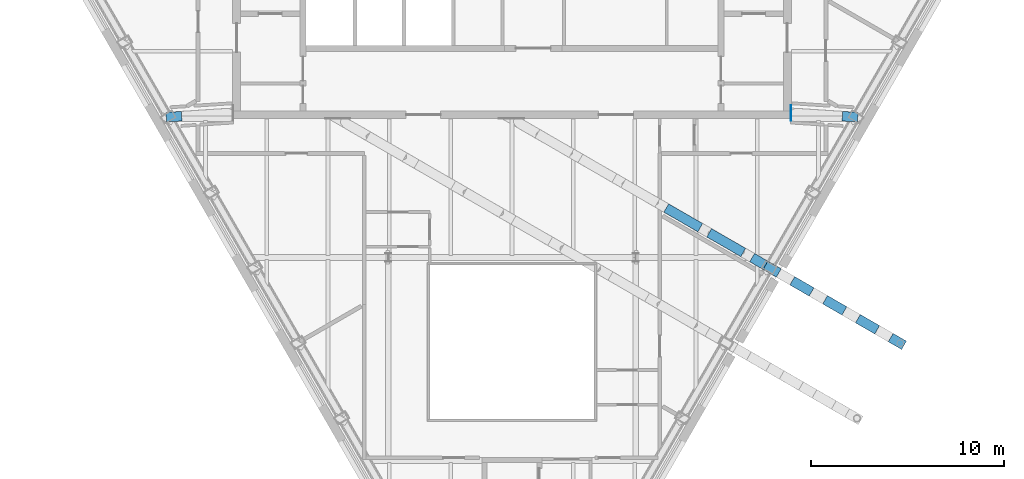
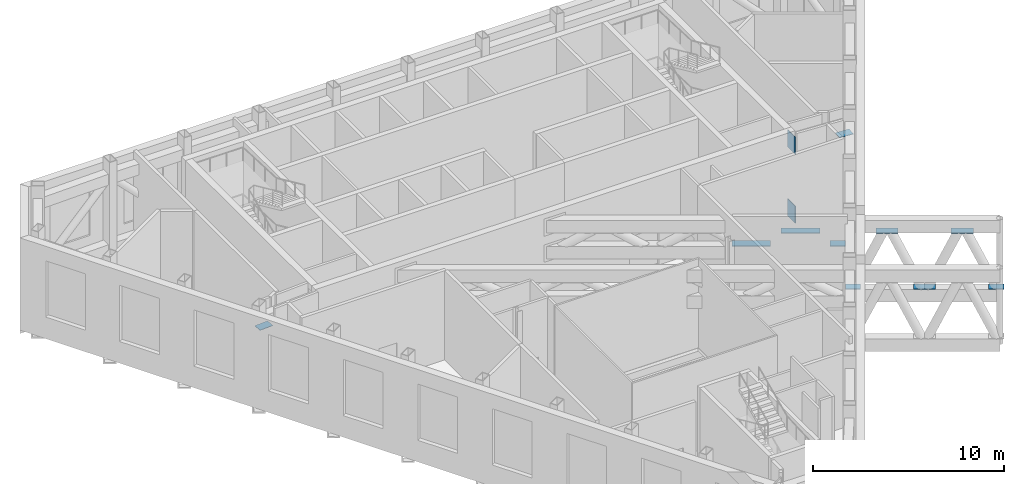
# One storey, part 11 of 14: 12 discrete accessories.
"""IFC4 building model written with IfcOpenShell, lengths in metres."""

from ifc_helpers import new_model, si_unit, direction, frame, origin, place, context, subcontext, project, spatial, polyline, outline, extrude, material, layer, layer_set, type_object, element, save


model = new_model("IFC4")

# Units and contexts
model_context = context("Model", 3, precision=1e-05, world=origin(), true_north=direction((0.0, 1.0)))
body_context = subcontext(model_context, "Body", "Model", "MODEL_VIEW")
ifc_project = project(units=[si_unit("LENGTHUNIT", "METRE"), si_unit("AREAUNIT", "SQUARE_METRE"), si_unit("VOLUMEUNIT", "CUBIC_METRE"), si_unit("PLANEANGLEUNIT", "RADIAN"), si_unit("MASSUNIT", "GRAM", prefix="KILO")], contexts=[model_context])

# Site, building, storey
site_placement = place(None, origin())
site = spatial("IfcSite", under=ifc_project, at=site_placement, CompositionType="ELEMENT")
building_placement = place(site_placement, origin())
building = spatial("IfcBuilding", under=site, at=building_placement, Name="Njiva Tower", CompositionType="ELEMENT")
storey_placement = place(building_placement, frame((0.0, 0.0, 292.2)))
storey = spatial("IfcBuildingStorey", under=building, at=storey_placement, Name="L67", CompositionType="ELEMENT", Elevation=292.2)

# Discrete accessories
ifc_material = material(Name="Steel S355 J2", Category="steel")
ifc_layer_1 = layer(ifc_material, 0.04)
ifc_layer_set_1 = layer_set([ifc_layer_1], Name="Steel S355 J2")
discrete_accessory_type_1 = type_object("IfcDiscreteAccessoryType", Name="AP1 Cast-in anchor plate 40", PredefinedType="ANCHORPLATE", material=ifc_layer_set_1)
for number, where, name in (
    (1, (14.48, 4.3, -0.15), "Cast-in anchor plate T5-AP03"),
    (2, (14.48, 4.3, 4.26), "Cast-in anchor plate T5-AP04"),
):
    element("IfcDiscreteAccessory", number, at=place(storey_placement, frame(where)), inside=storey, type_object=discrete_accessory_type_1, Name=name, PredefinedType="ANCHORPLATE", context=body_context, shape_type="SweptSolid", body=[
        extrude(outline(polyline([(0.02, 0.4), (-0.02, 0.4), (-0.02, -0.4), (0.02, -0.4), (0.02, 0.4)])), origin(), (0.0, 0.0, 1.0), 1.1),
    ])
ifc_layer_2 = layer(ifc_material, 0.03)
ifc_layer_set_2 = layer_set([ifc_layer_2], Name="Steel S355 J2")
discrete_accessory_type_2 = type_object("IfcDiscreteAccessoryType", Name="GP1 Truss node gusset plate 30", PredefinedType="USERDEFINED", material=ifc_layer_set_2)
discrete_accessory_1_placement = place(storey_placement, frame((-17.5516, 4.1027, 4.38)))
element("IfcDiscreteAccessory", 3, at=discrete_accessory_1_placement, inside=storey, type_object=discrete_accessory_type_2, Name="Truss node gusset plate T5-GP01", ObjectType="GUSSET PLATE", PredefinedType="USERDEFINED", context=body_context, shape_type="SweptSolid", body=[
    extrude(outline(polyline([(-0.383, -0.2753), (0.4153, -0.2237), (0.383, 0.2753), (-0.4153, 0.2237), (-0.383, -0.2753)])), origin(), (0.0, 0.0, 1.0), 0.03),
])
discrete_accessory_2_placement = place(storey_placement, frame((8.8912, -1.1482, 3.55)))
element("IfcDiscreteAccessory", 4, at=discrete_accessory_2_placement, inside=storey, type_object=discrete_accessory_type_2, Name="Truss node gusset plate T5-GP12", ObjectType="GUSSET PLATE", PredefinedType="USERDEFINED", context=body_context, shape_type="SweptSolid", body=[
    extrude(outline(polyline([(-1.0086, 0.2936), (0.7586, -0.7267), (1.0086, -0.2936), (-0.7586, 0.7266), (-1.0086, 0.2936)])), origin(), (0.0, 0.0, 1.0), 0.03),
])
discrete_accessory_3_placement = place(storey_placement, frame((11.1204, -2.4352, 4.38)))
element("IfcDiscreteAccessory", 5, at=discrete_accessory_3_placement, inside=storey, type_object=discrete_accessory_type_2, Name="Truss node gusset plate T5-GP15", ObjectType="GUSSET PLATE", PredefinedType="USERDEFINED", context=body_context, shape_type="SweptSolid", body=[
    extrude(outline(polyline([(-1.0085, 0.2936), (0.7586, -0.7267), (1.0086, -0.2937), (-0.7585, 0.7266), (-1.0085, 0.2936)])), origin(), (0.0, 0.0, 1.0), 0.03),
])
discrete_accessory_4_placement = place(storey_placement, frame((13.5041, -3.8115, 0.8)))
element("IfcDiscreteAccessory", 6, at=discrete_accessory_4_placement, inside=storey, type_object=discrete_accessory_type_2, Name="Truss node gusset plate T5-GP17", ObjectType="GUSSET PLATE", PredefinedType="USERDEFINED", context=body_context, shape_type="SweptSolid", body=[
    extrude(outline(polyline([(-0.4714, -0.0165), (0.2215, -0.4165), (0.4715, 0.0165), (-0.2214, 0.4165), (-0.4714, -0.0165)])), origin(), (0.0, 0.0, 1.0), 0.03),
])
discrete_accessory_5_placement = place(storey_placement, frame((12.8125, -3.4122, 3.55)))
element("IfcDiscreteAccessory", 7, at=discrete_accessory_5_placement, inside=storey, type_object=discrete_accessory_type_2, Name="Truss node gusset plate T5-GP18", ObjectType="GUSSET PLATE", PredefinedType="USERDEFINED", context=body_context, shape_type="SweptSolid", body=[
    extrude(outline(polyline([(0.4714, 0.0165), (-0.2214, 0.4165), (-0.4714, -0.0165), (0.2214, -0.4165), (0.4714, 0.0165)])), origin(), (0.0, 0.0, 1.0), 0.03),
])
discrete_accessory_6_placement = place(storey_placement, frame((15.0526, -4.7056, 4.38)))
element("IfcDiscreteAccessory", 8, at=discrete_accessory_6_placement, inside=storey, type_object=discrete_accessory_type_2, Name="Truss node gusset plate T5-GP20", ObjectType="GUSSET PLATE", PredefinedType="USERDEFINED", context=body_context, shape_type="SweptSolid", body=[
    extrude(outline(polyline([(0.6259, -0.0726), (-0.3758, 0.5057), (-0.6258, 0.0727), (0.3759, -0.5056), (0.6259, -0.0726)])), origin(), (0.0, 0.0, 1.0), 0.03),
])
discrete_accessory_7_placement = place(storey_placement, frame((16.7556, -5.6888, 0.8)))
element("IfcDiscreteAccessory", 9, at=discrete_accessory_7_placement, inside=storey, type_object=discrete_accessory_type_2, Name="Truss node gusset plate T5-GP22", ObjectType="GUSSET PLATE", PredefinedType="USERDEFINED", context=body_context, shape_type="SweptSolid", body=[
    extrude(outline(polyline([(0.6259, -0.0726), (-0.3758, 0.5057), (-0.6258, 0.0727), (0.3759, -0.5057), (0.6259, -0.0726)])), origin(), (0.0, 0.0, 1.0), 0.03),
])
discrete_accessory_8_placement = place(storey_placement, frame((17.5516, 4.1027, 4.38)))
element("IfcDiscreteAccessory", 10, at=discrete_accessory_8_placement, inside=storey, type_object=discrete_accessory_type_2, Name="Truss node gusset plate T5-GP23", ObjectType="GUSSET PLATE", PredefinedType="USERDEFINED", context=body_context, shape_type="SweptSolid", body=[
    extrude(outline(polyline([(0.4153, 0.2237), (-0.383, 0.2753), (-0.4153, -0.2237), (0.383, -0.2753), (0.4153, 0.2237)])), origin(), (0.0, 0.0, 1.0), 0.03),
])
discrete_accessory_9_placement = place(storey_placement, frame((18.4586, -6.672, 4.38)))
element("IfcDiscreteAccessory", 11, at=discrete_accessory_9_placement, inside=storey, type_object=discrete_accessory_type_2, Name="Truss node gusset plate T5-GP25", ObjectType="GUSSET PLATE", PredefinedType="USERDEFINED", context=body_context, shape_type="SweptSolid", body=[
    extrude(outline(polyline([(0.6259, -0.0727), (-0.3758, 0.5057), (-0.6258, 0.0727), (0.3759, -0.5057), (0.6259, -0.0727)])), origin(), (0.0, 0.0, 1.0), 0.03),
])
discrete_accessory_10_placement = place(storey_placement, frame((20.0072, -7.566, 0.8)))
element("IfcDiscreteAccessory", 12, at=discrete_accessory_10_placement, inside=storey, type_object=discrete_accessory_type_2, Name="Truss node gusset plate T5-GP26", ObjectType="GUSSET PLATE", PredefinedType="USERDEFINED", context=body_context, shape_type="SweptSolid", body=[
    extrude(outline(polyline([(0.4714, 0.0165), (-0.2214, 0.4165), (-0.4714, -0.0165), (0.2214, -0.4165), (0.4714, 0.0165)])), origin(), (0.0, 0.0, 1.0), 0.03),
])

save(model, "model.ifc")
